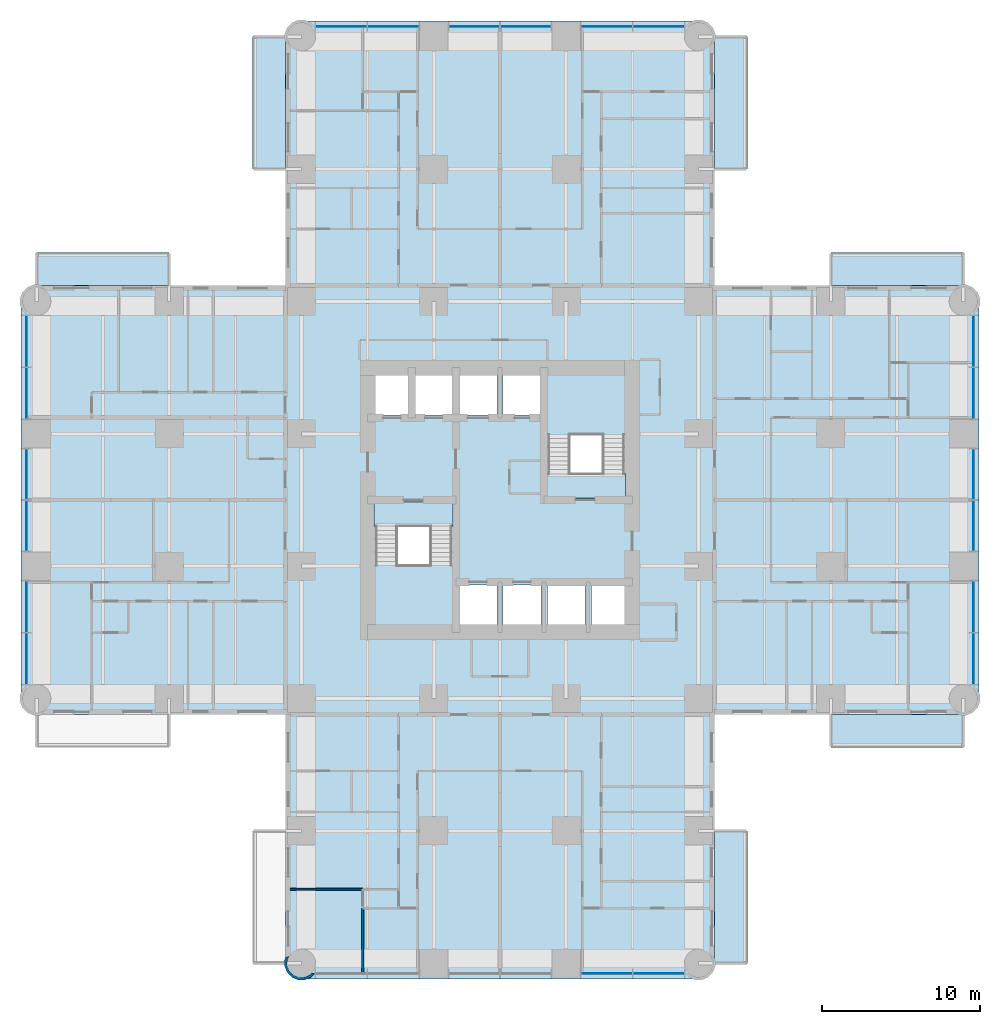
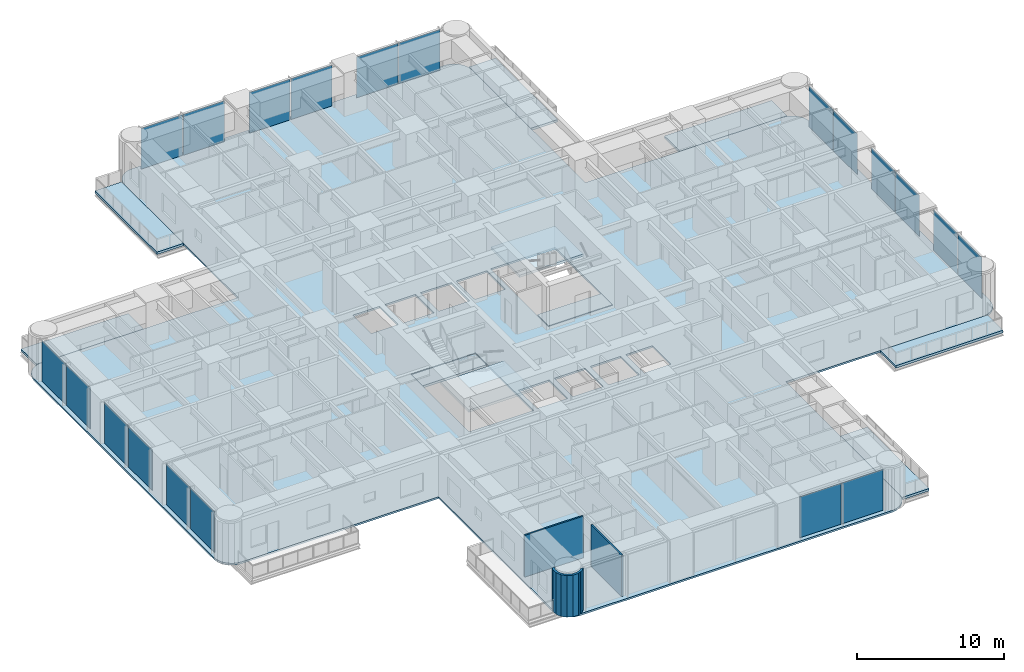
# One storey, part 6 of 17: 20 plates, 11 slabs, 3 walls, 6 elements without a shape of their own.
"""IFC4 building model written with IfcOpenShell, lengths in metres."""

import ifcopenshell
import ifcopenshell.guid

model = None  # the IFC model being written
_history = None  # IfcOwnerHistory: only IFC2X3 demands one
_inside = {}  # id of a spatial element -> (the spatial element, [elements in it])
_under = {}  # id of a project, library or spatial element -> (it, [spatial elements below it])
_declared = {}  # id of a project -> (the project, [libraries it declares])
_typed = {}  # id of a type object -> (the type object, [elements of that type])
_made_of = {}  # id of a material, layer set ... -> (it, [elements and type objects made of it])


def new_model(schema):
    """Start an empty IFC model of exactly this schema.

    Asked for "IFC4X3", IfcOpenShell would pick the latest addendum, in which some entities
    have other attributes; the version numbers below select the first issue.
    IFC2X3 requires an IfcOwnerHistory on every rooted entity: one is made here for all.
    """
    global model, _history
    if schema == "IFC4X3":
        model = ifcopenshell.file(schema_version=(4, 3, 0, 0))
    else:
        model = ifcopenshell.file(schema=schema)
    _inside.clear()
    _under.clear()
    _declared.clear()
    _typed.clear()
    _made_of.clear()
    _history = None
    if model.schema == "IFC2X3":
        org = make("IfcOrganization", Name="unknown")
        user = make(
            "IfcPersonAndOrganization",
            ThePerson=make("IfcPerson", FamilyName="unknown"),
            TheOrganization=org,
        )
        app = make(
            "IfcApplication",
            ApplicationDeveloper=org,
            Version="unknown",
            ApplicationFullName="unknown",
            ApplicationIdentifier="unknown",
        )
        _history = make(
            "IfcOwnerHistory",
            OwningUser=user,
            OwningApplication=app,
            ChangeAction="ADDED",
            CreationDate=0,
        )
    return model


def make(cls, **values):
    """One entity of the class cls with the attributes given. An attribute that is None is left unset."""
    return model.create_entity(
        cls, **{name: value for name, value in values.items() if value is not None}
    )


def rooted(cls, **values):
    """An entity with a GlobalId (a new one), such as an element, a storey or a relation."""
    return make(cls, GlobalId=ifcopenshell.guid.new(), OwnerHistory=_history, **values)


def si_unit(unit_type, name, prefix=None):
    """IfcSIUnit, for example si_unit("LENGTHUNIT", "METRE", prefix="MILLI")."""
    return make("IfcSIUnit", UnitType=unit_type, Prefix=prefix, Name=name)


def assignment(units):
    """IfcUnitAssignment: the units of a project."""
    return None if units is None else make("IfcUnitAssignment", Units=units)


def point(xyz):
    """IfcCartesianPoint."""
    return None if xyz is None else make("IfcCartesianPoint", Coordinates=xyz)


def direction(xyz):
    """IfcDirection."""
    return None if xyz is None else make("IfcDirection", DirectionRatios=xyz)


def frame(location, z_axis=None, x_axis=None):
    """IfcAxis2Placement3D, a coordinate frame: its origin and axes. An axis left out is left unset."""
    return make(
        "IfcAxis2Placement3D",
        Location=point(location),
        Axis=direction(z_axis),
        RefDirection=direction(x_axis),
    )


def frame_2d(location, x_axis=None):
    """IfcAxis2Placement2D, a coordinate frame in the plane: its origin and x axis."""
    return make(
        "IfcAxis2Placement2D", Location=point(location), RefDirection=direction(x_axis)
    )


def origin():
    """The frame at (0, 0, 0) with its axes left unset."""
    return frame((0.0, 0.0, 0.0))


def origin_2d():
    """The frame at (0, 0) in the plane with its x axis left unset."""
    return frame_2d((0.0, 0.0))


def place(relative_to, where):
    """IfcLocalPlacement: puts the frame where relative to a parent placement (None: the world)."""
    return make(
        "IfcLocalPlacement", PlacementRelTo=relative_to, RelativePlacement=where
    )


def context(
    kind, dimensions, precision=None, world=None, true_north=None, identifier=None
):
    """IfcGeometricRepresentationContext, for example the 3D "Model" context."""
    return make(
        "IfcGeometricRepresentationContext",
        ContextIdentifier=identifier,
        ContextType=kind,
        CoordinateSpaceDimension=dimensions,
        Precision=precision,
        WorldCoordinateSystem=world,
        TrueNorth=true_north,
    )


def subcontext(parent, identifier, kind, view, scale=None):
    """IfcGeometricRepresentationSubContext, for example "Body" below "Model"."""
    return make(
        "IfcGeometricRepresentationSubContext",
        ContextIdentifier=identifier,
        ContextType=kind,
        ParentContext=parent,
        TargetScale=scale,
        TargetView=view,
    )


def project(units=None, contexts=None):
    """IfcProject with its units and contexts."""
    return rooted(
        "IfcProject",
        Name="project",
        RepresentationContexts=contexts,
        UnitsInContext=assignment(units),
    )


def spatial(cls, under=None, at=None, **own):
    """A site, building, storey or space (cls), placed at a placement, below another one or the project."""
    s = rooted(cls, ObjectPlacement=at, **own)
    if under is not None:
        _under.setdefault(under.id(), (under, []))[1].append(s)
    return s


def polyline(points):
    """IfcPolyline through the points."""
    return make("IfcPolyline", Points=[point(p) for p in points])


def profile(cls, at=None, kind="AREA", **sizes):
    """A parametric profile (cls). Its sizes go by their IFC names, for example OverallWidth=200.0."""
    return make(cls, ProfileType=kind, Position=at, **sizes)


def rectangle(**sizes):
    """IfcRectangleProfileDef."""
    return profile("IfcRectangleProfileDef", **sizes)


def outline(outer, holes=None, kind="AREA"):
    """IfcArbitraryClosedProfileDef: a profile drawn as a closed curve; with holes, ...WithVoids."""
    if holes is None:
        return make("IfcArbitraryClosedProfileDef", ProfileType=kind, OuterCurve=outer)
    return make(
        "IfcArbitraryProfileDefWithVoids",
        ProfileType=kind,
        OuterCurve=outer,
        InnerCurves=holes,
    )


def extrude(swept, where, along, depth):
    """IfcExtrudedAreaSolid: the profile swept, set in the frame where, extruded along a direction by depth."""
    return make(
        "IfcExtrudedAreaSolid",
        SweptArea=swept,
        Position=where,
        ExtrudedDirection=direction(along),
        Depth=depth,
    )


def shape(context_of_items, identifier, shape_type, items):
    """IfcShapeRepresentation: the items that make up one representation, for example the "Body"."""
    return make(
        "IfcShapeRepresentation",
        ContextOfItems=context_of_items,
        RepresentationIdentifier=identifier,
        RepresentationType=shape_type,
        Items=items,
    )


def material(Name=None, Category=None):
    """IfcMaterial."""
    return make("IfcMaterial", Name=Name, Category=Category)


def layer(
    of_material, thickness, ventilated=None, Name=None, Category=None, Priority=None
):
    """IfcMaterialLayer: one layer of a wall or slab, of a material (None: an air gap)."""
    return make(
        "IfcMaterialLayer",
        Material=of_material,
        LayerThickness=thickness,
        IsVentilated=ventilated,
        Name=Name,
        Category=Category,
        Priority=Priority,
    )


def layer_set(layers, Name=None):
    """IfcMaterialLayerSet."""
    return make("IfcMaterialLayerSet", MaterialLayers=layers, LayerSetName=Name)


def made_of(thing, what):
    """Note that an element or type object is made of a material, layer set ...; save() writes the relation."""
    if what is not None:
        _made_of.setdefault(what.id(), (what, []))[1].append(thing)
    return thing


def type_object(cls, material=None, **own):
    """A type object (cls), such as IfcWallType, which elements share."""
    return made_of(rooted(cls, **own), material)


def element(
    cls,
    number,
    at=None,
    inside=None,
    cuts=None,
    type_object=None,
    material=None,
    context=None,
    identifier="Body",
    shape_type=None,
    held_by="IfcProductDefinitionShape",
    body=None,
    shapes=None,
    **own,
):
    """One element of the class cls, such as IfcWall. Its Tag is "e" and its number.

    at: its placement. inside: the storey or other place that contains it. cuts: it is an
    opening in that element (IfcRelVoidsElement). A single representation is given by context,
    identifier, shape_type and body (its items); several are given by shapes. held_by: the class
    of the entity that holds the representations. save() writes the other relations.
    """
    e = rooted(cls, Tag="e%d" % number, ObjectPlacement=at, **own)
    if body is not None:
        shapes = [shape(context, identifier, shape_type, body)]
    if shapes is not None:
        e.Representation = make(held_by, Representations=shapes)
    if inside is not None:
        _inside.setdefault(inside.id(), (inside, []))[1].append(e)
    if cuts is not None:
        rooted(
            "IfcRelVoidsElement", RelatingBuildingElement=cuts, RelatedOpeningElement=e
        )
    if type_object is not None:
        _typed.setdefault(type_object.id(), (type_object, []))[1].append(e)
    return made_of(e, material)


def aggregate(whole, parts):
    """IfcRelAggregates: a whole, such as a stair, and the parts it consists of."""
    return rooted("IfcRelAggregates", RelatingObject=whole, RelatedObjects=parts)


def save(model, path):
    """Write the relations noted so far, then the file.

    IfcRelAggregates (storeys below a building ...), IfcRelContainedInSpatialStructure (elements
    in a storey), IfcRelDefinesByType, IfcRelAssociatesMaterial and IfcRelDeclares: one each for
    every whole, place, type object, material and project.
    """
    for whole, parts in _under.values():
        aggregate(whole, parts)
    for where, things in _inside.values():
        rooted(
            "IfcRelContainedInSpatialStructure",
            RelatedElements=things,
            RelatingStructure=where,
        )
    for kind, things in _typed.values():
        rooted("IfcRelDefinesByType", RelatedObjects=things, RelatingType=kind)
    for what, things in _made_of.values():
        rooted("IfcRelAssociatesMaterial", RelatedObjects=things, RelatingMaterial=what)
    for by, libraries in _declared.values():
        rooted("IfcRelDeclares", RelatingContext=by, RelatedDefinitions=libraries)
    model.write(path)


model = new_model("IFC4")

# Units and contexts
model_context = context("Model", 3, precision=1e-05, world=origin(), true_north=direction((0.0, 1.0)))
body_context = subcontext(model_context, "Body", "Model", "MODEL_VIEW")
ifc_project = project(units=[si_unit("LENGTHUNIT", "METRE"), si_unit("AREAUNIT", "SQUARE_METRE"), si_unit("VOLUMEUNIT", "CUBIC_METRE"), si_unit("PLANEANGLEUNIT", "RADIAN"), si_unit("MASSUNIT", "GRAM", prefix="KILO")], contexts=[model_context])

# Site, building, storey
site_placement = place(None, origin())
site = spatial("IfcSite", under=ifc_project, at=site_placement, CompositionType="ELEMENT")
building_placement = place(site_placement, origin())
building = spatial("IfcBuilding", under=site, at=building_placement, Name="Torre Alcanfor", CompositionType="ELEMENT")
storey_placement = place(building_placement, frame((0.0, 0.0, 48.89990234375)))
storey = spatial("IfcBuildingStorey", under=building, at=storey_placement, Name="L11", CompositionType="ELEMENT", Elevation=48.89990234375)

# Slabs
ifc_material_1 = material(Name="Concrete f'c 35 MPa", Category="concrete")
ifc_layer_1 = layer(ifc_material_1, 0.199951171875)
ifc_layer_set_1 = layer_set([ifc_layer_1], Name="Balcony slab 200")
slab_type_1 = type_object("IfcSlabType", Name="Balcony slab 200", PredefinedType="FLOOR", material=ifc_layer_set_1)
slab_1_placement = place(storey_placement, frame((0.0, 0.0, -0.199951171875)))
element("IfcSlab", 1, at=slab_1_placement, inside=storey, type_object=slab_type_1, Name="Balcony L11-N1", PredefinedType="FLOOR", context=body_context, shape_type="SweptSolid", body=[
    extrude(outline(polyline([(15.800048828125, 50.39990234375), (15.800048828125, 58.800048828125), (13.699951171875, 58.800048828125), (13.699951171875, 50.39990234375), (15.800048828125, 50.39990234375)])), origin(), (0.0, 0.0, 1.0), 0.199951171875),
])
slab_2_placement = place(storey_placement, frame((0.0, 0.0, -0.199951171875)))
element("IfcSlab", 2, at=slab_2_placement, inside=storey, type_object=slab_type_1, Name="Balcony L11-N2", PredefinedType="FLOOR", context=body_context, shape_type="SweptSolid", body=[
    extrude(outline(polyline([(45.10009765625, 50.39990234375), (45.10009765625, 58.800048828125), (43.0, 58.800048828125), (43.0, 50.39990234375), (45.10009765625, 50.39990234375)])), origin(), (0.0, 0.0, 1.0), 0.199951171875),
])
slab_3_placement = place(storey_placement, frame((0.0, 0.0, -0.199951171875)))
element("IfcSlab", 3, at=slab_3_placement, inside=storey, type_object=slab_type_1, Name="Balcony L11-E1", PredefinedType="FLOOR", context=body_context, shape_type="SweptSolid", body=[
    extrude(outline(polyline([(50.39990234375, 43.0), (58.800048828125, 43.0), (58.800048828125, 45.10009765625), (50.39990234375, 45.10009765625), (50.39990234375, 43.0)])), origin(), (0.0, 0.0, 1.0), 0.199951171875),
])
slab_4_placement = place(storey_placement, frame((0.0, 0.0, -0.199951171875)))
element("IfcSlab", 4, at=slab_4_placement, inside=storey, type_object=slab_type_1, Name="Balcony L11-E2", PredefinedType="FLOOR", context=body_context, shape_type="SweptSolid", body=[
    extrude(outline(polyline([(50.39990234375, 13.699951171875), (58.800048828125, 13.699951171875), (58.800048828125, 15.800048828125), (50.39990234375, 15.800048828125), (50.39990234375, 13.699951171875)])), origin(), (0.0, 0.0, 1.0), 0.199951171875),
])
slab_5_placement = place(storey_placement, frame((0.0, 0.0, -0.199951171875)))
element("IfcSlab", 5, at=slab_5_placement, inside=storey, type_object=slab_type_1, Name="Balcony L11-S1", PredefinedType="FLOOR", context=body_context, shape_type="SweptSolid", body=[
    extrude(outline(polyline([(43.0, 8.39990234375), (43.0, 0.0), (45.10009765625, 0.0), (45.10009765625, 8.39990234375), (43.0, 8.39990234375)])), origin(), (0.0, 0.0, 1.0), 0.199951171875),
])
slab_6_placement = place(storey_placement, frame((0.0, 0.0, -0.199951171875)))
element("IfcSlab", 6, at=slab_6_placement, inside=storey, type_object=slab_type_1, Name="Balcony L11-W2", PredefinedType="FLOOR", context=body_context, shape_type="SweptSolid", body=[
    extrude(outline(polyline([(8.39990234375, 45.10009765625), (0.0, 45.10009765625), (0.0, 43.0), (8.39990234375, 43.0), (8.39990234375, 45.10009765625)])), origin(), (0.0, 0.0, 1.0), 0.199951171875),
])

# Curtain wall, plates
ifc_material_2 = material(Name="Aluminium and glass", Category="aluminium")
curtain_wall_type = type_object("IfcCurtainWallType", Name="CW-A unitised apartment glazing with vertical FIN", PredefinedType="NOTDEFINED", material=ifc_material_2)
curtain_wall_1_placement = place(storey_placement, origin())
curtain_wall_1 = element("IfcCurtainWall", 7, at=curtain_wall_1_placement, inside=storey, type_object=curtain_wall_type, Name="Curtain wall CW-A L11 2", PredefinedType="NOTDEFINED")
ifc_material_3 = material(Name="Glass", Category="glass")
ifc_layer_2 = layer(ifc_material_3, 0.028076171875)
ifc_layer_set_2 = layer_set([ifc_layer_2], Name="CW-A clear double glazed unit")
plate_type = type_object("IfcPlateType", Name="CW-A clear double glazed unit", PredefinedType="CURTAIN_PANEL", material=ifc_layer_set_2)
plate_1_placement = place(storey_placement, frame((-0.64990234375, 39.484130859375, 0.0), z_axis=(0.0, 0.0, 1.0), x_axis=(0.0, -1.0, 0.0)))
plate_1 = element("IfcPlate", 8, at=plate_1_placement, type_object=plate_type, Name="CW-A panel 1.1.1", PredefinedType="CURTAIN_PANEL", context=body_context, shape_type="SweptSolid", body=[
    extrude(rectangle(XDim=3.232666015625, YDim=0.028076171875, at=origin_2d()), origin(), (0.0, 0.0, 1.0), 3.385009765625),
])
plate_2_placement = place(storey_placement, frame((-0.64990234375, 36.186279296875, 0.0), z_axis=(0.0, 0.0, 1.0), x_axis=(0.0, -1.0, 0.0)))
plate_2 = element("IfcPlate", 9, at=plate_2_placement, type_object=plate_type, Name="CW-A panel 1.2.1", PredefinedType="CURTAIN_PANEL", context=body_context, shape_type="SweptSolid", body=[
    extrude(rectangle(XDim=3.232666015625, YDim=0.028076171875, at=origin_2d()), origin(), (0.0, 0.0, 1.0), 3.385009765625),
])
plate_3_placement = place(storey_placement, frame((-0.64990234375, 31.03125, 0.0), z_axis=(0.0, 0.0, 1.0), x_axis=(0.0, -1.0, 0.0)))
plate_3 = element("IfcPlate", 10, at=plate_3_placement, type_object=plate_type, Name="CW-A panel 2.1.1", PredefinedType="CURTAIN_PANEL", context=body_context, shape_type="SweptSolid", body=[
    extrude(rectangle(XDim=3.197509765625, YDim=0.028076171875, at=origin_2d()), origin(), (0.0, 0.0, 1.0), 3.385009765625),
])
plate_4_placement = place(storey_placement, frame((-0.64990234375, 27.768798828125, 0.0), z_axis=(0.0, 0.0, 1.0), x_axis=(0.0, -1.0, 0.0)))
plate_4 = element("IfcPlate", 11, at=plate_4_placement, type_object=plate_type, Name="CW-A panel 2.2.1", PredefinedType="CURTAIN_PANEL", context=body_context, shape_type="SweptSolid", body=[
    extrude(rectangle(XDim=3.197509765625, YDim=0.028076171875, at=origin_2d()), origin(), (0.0, 0.0, 1.0), 3.385009765625),
])
plate_5_placement = place(storey_placement, frame((-0.64990234375, 22.613525390625, 0.0), z_axis=(0.0, 0.0, 1.0), x_axis=(0.0, -1.0, 0.0)))
plate_5 = element("IfcPlate", 12, at=plate_5_placement, type_object=plate_type, Name="CW-A panel 3.1.1", PredefinedType="CURTAIN_PANEL", context=body_context, shape_type="SweptSolid", body=[
    extrude(rectangle(XDim=3.232666015625, YDim=0.028076171875, at=origin_2d()), origin(), (0.0, 0.0, 1.0), 3.385009765625),
])
plate_6_placement = place(storey_placement, frame((-0.64990234375, 19.31591796875, 0.0), z_axis=(0.0, 0.0, 1.0), x_axis=(0.0, -1.0, 0.0)))
plate_6 = element("IfcPlate", 13, at=plate_6_placement, type_object=plate_type, Name="CW-A panel 3.2.1", PredefinedType="CURTAIN_PANEL", context=body_context, shape_type="SweptSolid", body=[
    extrude(rectangle(XDim=3.232666015625, YDim=0.028076171875, at=origin_2d()), origin(), (0.0, 0.0, 1.0), 3.385009765625),
])
aggregate(curtain_wall_1, [plate_1, plate_2, plate_3, plate_4, plate_5, plate_6])

curtain_wall_2_placement = place(storey_placement, origin())
curtain_wall_2 = element("IfcCurtainWall", 14, at=curtain_wall_2_placement, inside=storey, type_object=curtain_wall_type, Name="Curtain wall CW-A L11 5", PredefinedType="NOTDEFINED")
plate_7_placement = place(storey_placement, frame((36.186279296875, -0.64990234375, 0.0), z_axis=(0.0, 0.0, 1.0), x_axis=(1.0, 0.0, 0.0)))
plate_7 = element("IfcPlate", 15, at=plate_7_placement, type_object=plate_type, Name="CW-A panel 3.1.1", PredefinedType="CURTAIN_PANEL", context=body_context, shape_type="SweptSolid", body=[
    extrude(rectangle(XDim=3.232666015625, YDim=0.028076171875, at=origin_2d()), origin(), (0.0, 0.0, 1.0), 3.385009765625),
])
plate_8_placement = place(storey_placement, frame((39.484130859375, -0.64990234375, 0.0), z_axis=(0.0, 0.0, 1.0), x_axis=(1.0, 0.0, 0.0)))
plate_8 = element("IfcPlate", 16, at=plate_8_placement, type_object=plate_type, Name="CW-A panel 3.2.1", PredefinedType="CURTAIN_PANEL", context=body_context, shape_type="SweptSolid", body=[
    extrude(rectangle(XDim=3.232666015625, YDim=0.028076171875, at=origin_2d()), origin(), (0.0, 0.0, 1.0), 3.385009765625),
])
aggregate(curtain_wall_2, [plate_7, plate_8])

curtain_wall_3_placement = place(storey_placement, origin())
curtain_wall_3 = element("IfcCurtainWall", 17, at=curtain_wall_3_placement, inside=storey, type_object=curtain_wall_type, Name="Curtain wall CW-A L11 8", PredefinedType="NOTDEFINED")
plate_9_placement = place(storey_placement, frame((59.449951171875, 19.31591796875, 0.0), z_axis=(0.0, 0.0, 1.0), x_axis=(0.0, 1.0, 0.0)))
plate_9 = element("IfcPlate", 18, at=plate_9_placement, type_object=plate_type, Name="CW-A panel 1.1.1", PredefinedType="CURTAIN_PANEL", context=body_context, shape_type="SweptSolid", body=[
    extrude(rectangle(XDim=3.232666015625, YDim=0.028076171875, at=origin_2d()), origin(), (0.0, 0.0, 1.0), 3.385009765625),
])
plate_10_placement = place(storey_placement, frame((59.449951171875, 22.613525390625, 0.0), z_axis=(0.0, 0.0, 1.0), x_axis=(0.0, 1.0, 0.0)))
plate_10 = element("IfcPlate", 19, at=plate_10_placement, type_object=plate_type, Name="CW-A panel 1.2.1", PredefinedType="CURTAIN_PANEL", context=body_context, shape_type="SweptSolid", body=[
    extrude(rectangle(XDim=3.232666015625, YDim=0.028076171875, at=origin_2d()), origin(), (0.0, 0.0, 1.0), 3.385009765625),
])
plate_11_placement = place(storey_placement, frame((59.449951171875, 27.768798828125, 0.0), z_axis=(0.0, 0.0, 1.0), x_axis=(0.0, 1.0, 0.0)))
plate_11 = element("IfcPlate", 20, at=plate_11_placement, type_object=plate_type, Name="CW-A panel 2.1.1", PredefinedType="CURTAIN_PANEL", context=body_context, shape_type="SweptSolid", body=[
    extrude(rectangle(XDim=3.197509765625, YDim=0.028076171875, at=origin_2d()), origin(), (0.0, 0.0, 1.0), 3.385009765625),
])
plate_12_placement = place(storey_placement, frame((59.449951171875, 31.03125, 0.0), z_axis=(0.0, 0.0, 1.0), x_axis=(0.0, 1.0, 0.0)))
plate_12 = element("IfcPlate", 21, at=plate_12_placement, type_object=plate_type, Name="CW-A panel 2.2.1", PredefinedType="CURTAIN_PANEL", context=body_context, shape_type="SweptSolid", body=[
    extrude(rectangle(XDim=3.197509765625, YDim=0.028076171875, at=origin_2d()), origin(), (0.0, 0.0, 1.0), 3.385009765625),
])
plate_13_placement = place(storey_placement, frame((59.449951171875, 36.186279296875, 0.0), z_axis=(0.0, 0.0, 1.0), x_axis=(0.0, 1.0, 0.0)))
plate_13 = element("IfcPlate", 22, at=plate_13_placement, type_object=plate_type, Name="CW-A panel 3.1.1", PredefinedType="CURTAIN_PANEL", context=body_context, shape_type="SweptSolid", body=[
    extrude(rectangle(XDim=3.232666015625, YDim=0.028076171875, at=origin_2d()), origin(), (0.0, 0.0, 1.0), 3.385009765625),
])
plate_14_placement = place(storey_placement, frame((59.449951171875, 39.484130859375, 0.0), z_axis=(0.0, 0.0, 1.0), x_axis=(0.0, 1.0, 0.0)))
plate_14 = element("IfcPlate", 23, at=plate_14_placement, type_object=plate_type, Name="CW-A panel 3.2.1", PredefinedType="CURTAIN_PANEL", context=body_context, shape_type="SweptSolid", body=[
    extrude(rectangle(XDim=3.232666015625, YDim=0.028076171875, at=origin_2d()), origin(), (0.0, 0.0, 1.0), 3.385009765625),
])
aggregate(curtain_wall_3, [plate_9, plate_10, plate_11, plate_12, plate_13, plate_14])

curtain_wall_4_placement = place(storey_placement, origin())
curtain_wall_4 = element("IfcCurtainWall", 24, at=curtain_wall_4_placement, inside=storey, type_object=curtain_wall_type, Name="Curtain wall CW-A L11 11", PredefinedType="NOTDEFINED")
plate_15_placement = place(storey_placement, frame((39.484130859375, 59.449951171875, 0.0), z_axis=(0.0, 0.0, 1.0), x_axis=(-1.0, 0.0, 0.0)))
plate_15 = element("IfcPlate", 25, at=plate_15_placement, type_object=plate_type, Name="CW-A panel 1.1.1", PredefinedType="CURTAIN_PANEL", context=body_context, shape_type="SweptSolid", body=[
    extrude(rectangle(XDim=3.232666015625, YDim=0.028076171875, at=origin_2d()), origin(), (0.0, 0.0, 1.0), 3.385009765625),
])
plate_16_placement = place(storey_placement, frame((36.186279296875, 59.449951171875, 0.0), z_axis=(0.0, 0.0, 1.0), x_axis=(-1.0, 0.0, 0.0)))
plate_16 = element("IfcPlate", 26, at=plate_16_placement, type_object=plate_type, Name="CW-A panel 1.2.1", PredefinedType="CURTAIN_PANEL", context=body_context, shape_type="SweptSolid", body=[
    extrude(rectangle(XDim=3.232666015625, YDim=0.028076171875, at=origin_2d()), origin(), (0.0, 0.0, 1.0), 3.385009765625),
])
plate_17_placement = place(storey_placement, frame((31.03125, 59.449951171875, 0.0), z_axis=(0.0, 0.0, 1.0), x_axis=(-1.0, 0.0, 0.0)))
plate_17 = element("IfcPlate", 27, at=plate_17_placement, type_object=plate_type, Name="CW-A panel 2.1.1", PredefinedType="CURTAIN_PANEL", context=body_context, shape_type="SweptSolid", body=[
    extrude(rectangle(XDim=3.197509765625, YDim=0.028076171875, at=origin_2d()), origin(), (0.0, 0.0, 1.0), 3.385009765625),
])
plate_18_placement = place(storey_placement, frame((27.768798828125, 59.449951171875, 0.0), z_axis=(0.0, 0.0, 1.0), x_axis=(-1.0, 0.0, 0.0)))
plate_18 = element("IfcPlate", 28, at=plate_18_placement, type_object=plate_type, Name="CW-A panel 2.2.1", PredefinedType="CURTAIN_PANEL", context=body_context, shape_type="SweptSolid", body=[
    extrude(rectangle(XDim=3.197509765625, YDim=0.028076171875, at=origin_2d()), origin(), (0.0, 0.0, 1.0), 3.385009765625),
])
plate_19_placement = place(storey_placement, frame((22.613525390625, 59.449951171875, 0.0), z_axis=(0.0, 0.0, 1.0), x_axis=(-1.0, 0.0, 0.0)))
plate_19 = element("IfcPlate", 29, at=plate_19_placement, type_object=plate_type, Name="CW-A panel 3.1.1", PredefinedType="CURTAIN_PANEL", context=body_context, shape_type="SweptSolid", body=[
    extrude(rectangle(XDim=3.232666015625, YDim=0.028076171875, at=origin_2d()), origin(), (0.0, 0.0, 1.0), 3.385009765625),
])
plate_20_placement = place(storey_placement, frame((19.31591796875, 59.449951171875, 0.0), z_axis=(0.0, 0.0, 1.0), x_axis=(-1.0, 0.0, 0.0)))
plate_20 = element("IfcPlate", 30, at=plate_20_placement, type_object=plate_type, Name="CW-A panel 3.2.1", PredefinedType="CURTAIN_PANEL", context=body_context, shape_type="SweptSolid", body=[
    extrude(rectangle(XDim=3.232666015625, YDim=0.028076171875, at=origin_2d()), origin(), (0.0, 0.0, 1.0), 3.385009765625),
])
aggregate(curtain_wall_4, [plate_15, plate_16, plate_17, plate_18, plate_19, plate_20])

# Slab
ifc_material_4 = material(Name="Concrete f'c 35 MPa", Category="concrete")
ifc_layer_3 = layer(ifc_material_4, 0.14990234375)
ifc_layer_set_3 = layer_set([ifc_layer_3], Name="Composite floor 150 on metal deck")
slab_type_2 = type_object("IfcSlabType", Name="Composite floor 150 on metal deck", PredefinedType="FLOOR", material=ifc_layer_set_3)
slab_7_placement = place(storey_placement, frame((0.0, 0.0, -0.14990234375)))
element("IfcSlab", 31, at=slab_7_placement, inside=storey, type_object=slab_type_2, Name="Floor slab L11", PredefinedType="FLOOR", context=body_context, shape_type="SweptSolid", body=[
    extrude(outline(polyline([(15.800048828125, 43.0), (0.39990234375, 43.0), (0.03759765625, 42.952392578125), (-0.300048828125, 42.8125), (-0.58984375, 42.58984375), (-0.8125, 42.300048828125), (-0.952392578125, 41.96240234375), (-1.0, 41.60009765625), (-1.0, 17.199951171875), (-0.952392578125, 16.837646484375), (-0.8125, 16.5), (-0.58984375, 16.210205078125), (-0.300048828125, 15.987548828125), (0.03759765625, 15.84765625), (0.39990234375, 15.800048828125), (15.800048828125, 15.800048828125), (15.800048828125, 0.39990234375), (15.84765625, 0.03759765625), (15.987548828125, -0.300048828125), (16.210205078125, -0.58984375), (16.5, -0.8125), (16.837646484375, -0.952392578125), (17.199951171875, -1.0), (41.60009765625, -1.0), (41.96240234375, -0.952392578125), (42.300048828125, -0.8125), (42.58984375, -0.58984375), (42.8125, -0.300048828125), (42.952392578125, 0.03759765625), (43.0, 0.39990234375), (43.0, 15.800048828125), (58.39990234375, 15.800048828125), (58.76220703125, 15.84765625), (59.10009765625, 15.987548828125), (59.389892578125, 16.210205078125), (59.6123046875, 16.5), (59.752197265625, 16.837646484375), (59.800048828125, 17.199951171875), (59.800048828125, 41.60009765625), (59.752197265625, 41.96240234375), (59.6123046875, 42.300048828125), (59.389892578125, 42.58984375), (59.10009765625, 42.8125), (58.76220703125, 42.952392578125), (58.39990234375, 43.0), (43.0, 43.0), (43.0, 58.39990234375), (42.952392578125, 58.76220703125), (42.8125, 59.10009765625), (42.58984375, 59.389892578125), (42.300048828125, 59.6123046875), (41.96240234375, 59.752197265625), (41.60009765625, 59.800048828125), (17.199951171875, 59.800048828125), (16.837646484375, 59.752197265625), (16.5, 59.6123046875), (16.210205078125, 59.389892578125), (15.987548828125, 59.10009765625), (15.84765625, 58.76220703125), (15.800048828125, 58.39990234375), (15.800048828125, 43.0)]), holes=[polyline([(21.419921875, 21.419921875), (26.47998046875, 21.419921875), (26.47998046875, 29.280029296875), (21.419921875, 29.280029296875), (21.419921875, 21.419921875)]), polyline([(32.320068359375, 29.52001953125), (37.3798828125, 29.52001953125), (37.3798828125, 37.3798828125), (32.320068359375, 37.3798828125), (32.320068359375, 29.52001953125)]), polyline([(26.800048828125, 21.5), (29.199951171875, 21.5), (29.199951171875, 24.0), (26.800048828125, 24.0), (26.800048828125, 21.5)]), polyline([(29.60009765625, 21.5), (32.0, 21.5), (32.0, 24.0), (29.60009765625, 24.0), (29.60009765625, 21.5)]), polyline([(32.39990234375, 21.5), (34.800048828125, 21.5), (34.800048828125, 24.0), (32.39990234375, 24.0), (32.39990234375, 21.5)]), polyline([(35.199951171875, 21.5), (37.300048828125, 21.5), (37.300048828125, 24.0), (35.199951171875, 24.0), (35.199951171875, 21.5)]), polyline([(21.5, 34.800048828125), (23.60009765625, 34.800048828125), (23.60009765625, 37.300048828125), (21.5, 37.300048828125), (21.5, 34.800048828125)]), polyline([(24.0, 34.800048828125), (26.39990234375, 34.800048828125), (26.39990234375, 37.300048828125), (24.0, 37.300048828125), (24.0, 34.800048828125)]), polyline([(26.800048828125, 34.800048828125), (29.199951171875, 34.800048828125), (29.199951171875, 37.300048828125), (26.800048828125, 37.300048828125), (26.800048828125, 34.800048828125)]), polyline([(29.60009765625, 34.800048828125), (32.0, 34.800048828125), (32.0, 37.300048828125), (29.60009765625, 37.300048828125), (29.60009765625, 34.800048828125)])]), origin(), (0.0, 0.0, 1.0), 0.14990234375),
])

# Stair, slabs
ifc_material_5 = material(Name="Concrete f'c 35 MPa", Category="concrete")
stair_type_1 = type_object("IfcStairType", Name="Exit stair S1 1400 wide", PredefinedType="HALF_TURN_STAIR", material=ifc_material_5)
stair_1_placement = place(storey_placement, origin())
stair_1 = element("IfcStair", 32, at=stair_1_placement, inside=storey, type_object=stair_type_1, Name="Stair S1 L11 to L12", PredefinedType="HALF_TURN_STAIR")
ifc_material_6 = material(Name="Concrete f'c 35 MPa", Category="concrete")
ifc_layer_4 = layer(ifc_material_6, 0.199951171875)
ifc_layer_set_4 = layer_set([ifc_layer_4], Name="Stair landing 200")
slab_type_3 = type_object("IfcSlabType", Name="Stair landing 200", PredefinedType="LANDING", material=ifc_layer_set_4)
slab_8_placement = place(storey_placement, frame((0.0, 0.0, -0.199951171875)))
slab_8 = element("IfcSlab", 33, at=slab_8_placement, type_object=slab_type_3, Name="S1 landing 1", PredefinedType="LANDING", context=body_context, shape_type="SweptSolid", body=[
    extrude(outline(polyline([(21.419921875, 27.699951171875), (26.429931640625, 27.699951171875), (26.429931640625, 29.22998046875), (21.419921875, 29.22998046875), (21.419921875, 27.699951171875)])), origin(), (0.0, 0.0, 1.0), 0.199951171875),
])
slab_9_placement = place(storey_placement, frame((0.0, 0.0, 1.60009765625)))
slab_9 = element("IfcSlab", 34, at=slab_9_placement, type_object=slab_type_3, Name="S1 landing 2", PredefinedType="LANDING", context=body_context, shape_type="SweptSolid", body=[
    extrude(outline(polyline([(21.419921875, 21.419921875), (26.429931640625, 21.419921875), (26.429931640625, 25.280029296875), (21.419921875, 25.280029296875), (21.419921875, 21.419921875)])), origin(), (0.0, 0.0, 1.0), 0.199951171875),
])
aggregate(stair_1, [slab_8, slab_9])

ifc_material_7 = material(Name="Concrete f'c 35 MPa", Category="concrete")
stair_type_2 = type_object("IfcStairType", Name="Exit stair S2 1400 wide", PredefinedType="HALF_TURN_STAIR", material=ifc_material_7)
stair_2_placement = place(storey_placement, origin())
stair_2 = element("IfcStair", 35, at=stair_2_placement, inside=storey, type_object=stair_type_2, Name="Stair S2 L11 to L12", PredefinedType="HALF_TURN_STAIR")
slab_10_placement = place(storey_placement, frame((0.0, 0.0, -0.199951171875)))
slab_10 = element("IfcSlab", 36, at=slab_10_placement, type_object=slab_type_3, Name="S2 landing 1", PredefinedType="LANDING", context=body_context, shape_type="SweptSolid", body=[
    extrude(outline(polyline([(32.3701171875, 29.570068359375), (37.3798828125, 29.570068359375), (37.3798828125, 31.10009765625), (32.3701171875, 31.10009765625), (32.3701171875, 29.570068359375)])), origin(), (0.0, 0.0, 1.0), 0.199951171875),
])
slab_11_placement = place(storey_placement, frame((0.0, 0.0, 1.60009765625)))
slab_11 = element("IfcSlab", 37, at=slab_11_placement, type_object=slab_type_3, Name="S2 landing 2", PredefinedType="LANDING", context=body_context, shape_type="SweptSolid", body=[
    extrude(outline(polyline([(32.3701171875, 33.52001953125), (37.3798828125, 33.52001953125), (37.3798828125, 37.3798828125), (32.3701171875, 37.3798828125), (32.3701171875, 33.52001953125)])), origin(), (0.0, 0.0, 1.0), 0.199951171875),
])
aggregate(stair_2, [slab_10, slab_11])

# Walls
ifc_material_8 = material(Name="Gypsum board on steel studs", Category="steel")
ifc_layer_5 = layer(ifc_material_8, 0.1201171875)
ifc_layer_set_5 = layer_set([ifc_layer_5], Name="Apartment partition 120")
wall_type_1 = type_object("IfcWallType", Name="Apartment partition 120", PredefinedType="PARTITIONING", material=ifc_layer_set_5)
wall_1_placement = place(storey_placement, frame((20.68603515625, 4.699951171875, 0.0), z_axis=(0.0, 0.0, 1.0), x_axis=(-1.0, 0.0, 0.0)))
element("IfcWall", 38, at=wall_1_placement, inside=storey, type_object=wall_type_1, Name="Partition L11-S2-BED3 / L11-S2-MASTER", PredefinedType="PARTITIONING", context=body_context, shape_type="SweptSolid", body=[
    extrude(rectangle(XDim=4.5859375, YDim=0.1201171875, at=frame_2d((2.29296875, 0.0))), origin(), (0.0, 0.0, 1.0), 3.4501953125),
])
wall_2_placement = place(storey_placement, frame((20.68603515625, -0.64990234375, 0.0), z_axis=(0.0, 0.0, 1.0), x_axis=(0.0, 1.0, 0.0)))
element("IfcWall", 39, at=wall_2_placement, inside=storey, type_object=wall_type_1, Name="Partition L11-S2-BED2 / L11-S2-MASTER", PredefinedType="PARTITIONING", context=body_context, shape_type="SweptSolid", body=[
    extrude(rectangle(XDim=4.14990234375, YDim=0.1201171875, at=frame_2d((2.074951171875, 0.0))), origin(), (0.0, 0.0, 1.0), 3.4501953125),
])
ifc_material_9 = material(Name="Limestone cladding", Category="masonry")
ifc_layer_6 = layer(ifc_material_9, 0.0400390625, Name="Facing")
ifc_material_10 = material(Name="Ventilated air cavity")
ifc_layer_7 = layer(ifc_material_10, 0.02001953125, ventilated=True, Name="Ventilated joint")
ifc_material_11 = material(Name="Mineral wool insulation", Category="insulation")
ifc_layer_8 = layer(ifc_material_11, 0.10009765625, Name="Insulation")
ifc_material_12 = material(Name="Concrete f'c 35 MPa", Category="concrete")
ifc_layer_9 = layer(ifc_material_12, 0.139892578125, Name="Backing")
ifc_layer_set_6 = layer_set([ifc_layer_6, ifc_layer_7, ifc_layer_8, ifc_layer_9], Name="Rounded corner pier stone-clad 300")
wall_type_2 = type_object("IfcWallType", Name="Rounded corner pier stone-clad 300", PredefinedType="SOLIDWALL", material=ifc_layer_set_6)
wall_3_placement = place(storey_placement, frame((15.890092843, 0.363962863, 0.0), z_axis=(0.0, 0.0, 1.0), x_axis=(-0.377204953059, -0.926129809145, 0.0)))
element("IfcWall", 40, at=wall_3_placement, inside=storey, type_object=wall_type_2, Name="Corner pier L11 15", PredefinedType="SOLIDWALL", context=body_context, shape_type="SweptSolid", body=[
    extrude(outline(polyline([(0.36025406326845444, 1.8033251535395152), (0.5088520451897254, 1.7407402151136773), (0.7605729288027181, 1.4858036812916837), (0.8957625945963965, 1.1538802047718164), (0.8938847377533284, 0.7953914035812757), (0.7547773157275899, 0.46510295554213366), (0.4997067670481534, 0.21306387496571194), (0.16778329052828606, 0.07787420917203358), (-0.09994023900030424, 0.0795504548732244), (0.0006804239564057041, -0.09694899646014049), (0.029999294732247404, -0.08026261581225796), (0.19856690358048068, -0.0812004843578153), (0.5888257049928043, 0.07774867310804906), (0.8888185520201115, 0.37418200048294215), (1.0525847078153452, 0.7630186897929918), (1.0551554850896743, 1.184529802966568), (0.896114236570817, 1.5750147102893275), (0.7776681844062314, 1.6949582431572732), (0.7691216165340404, 1.727592391840862), (0.7502462480266835, 1.7228043636692119), (0.599680909195924, 1.8750075573166347), (0.2945300212676607, 2.0035278056043833), (0.2809636666415082, 1.9980023424248052), (0.36025406326845444, 1.8033251535395152)])), origin(), (0.0, 0.0, 1.0), 3.4501953125),
])

save(model, "model.ifc")
